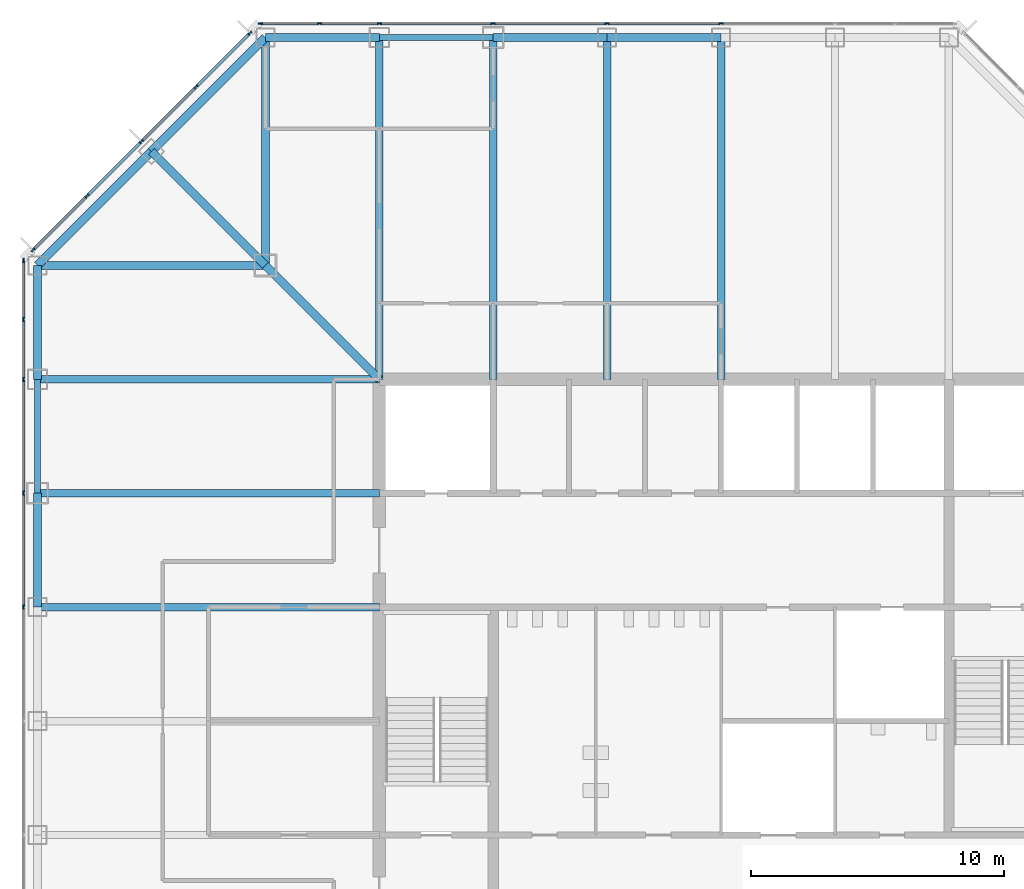
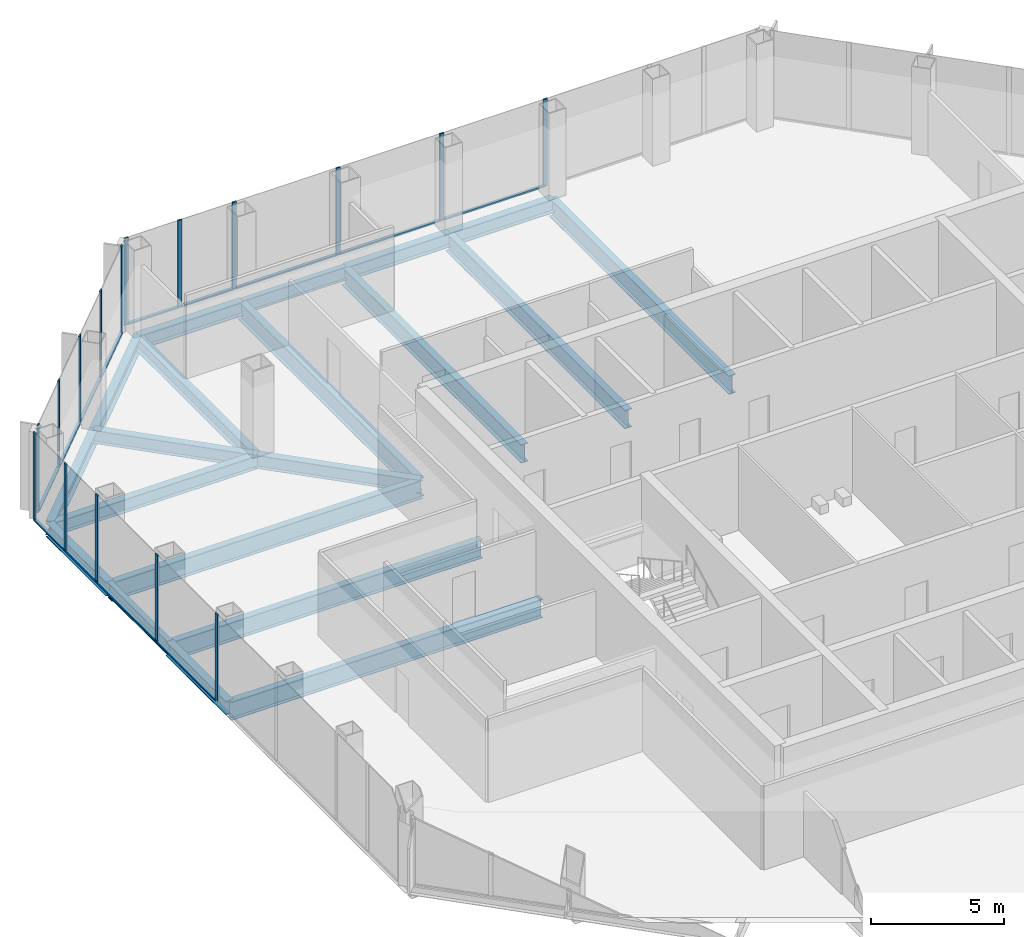
# One storey, part 5 of 12: 29 members, 20 beams, 3 elements without a shape of their own.
"""IFC4 building model written with IfcOpenShell, lengths in metres."""

from ifc_helpers import new_model, si_unit, direction, frame, origin, origin_2d, place, context, subcontext, project, spatial, rectangle, i_section, extrude, material, material_profile, profile_set, type_object, element, aggregate, save


model = new_model("IFC4")

# Units and contexts
model_context = context("Model", 3, precision=1e-05, world=origin(), true_north=direction((0.0, 1.0)))
body_context = subcontext(model_context, "Body", "Model", "MODEL_VIEW")
ifc_project = project(units=[si_unit("LENGTHUNIT", "METRE"), si_unit("AREAUNIT", "SQUARE_METRE"), si_unit("VOLUMEUNIT", "CUBIC_METRE"), si_unit("PLANEANGLEUNIT", "RADIAN"), si_unit("MASSUNIT", "GRAM", prefix="KILO")], contexts=[model_context])

# Site, building, storey
site_placement = place(None, origin())
site = spatial("IfcSite", under=ifc_project, at=site_placement, CompositionType="ELEMENT")
building_placement = place(site_placement, origin())
building = spatial("IfcBuilding", under=site, at=building_placement, Name="Corais Broadcast Tower", CompositionType="ELEMENT")
storey_placement = place(building_placement, frame((0.0, 0.0, 127.60009765625)))
storey = spatial("IfcBuildingStorey", under=building, at=storey_placement, Name="L28", CompositionType="ELEMENT", Elevation=127.60009765625)

# Beams
ifc_material_1 = material(Name="Steel ASTM A572 Grade 50", Category="steel")
ifc_material_profile_1 = material_profile(ifc_material_1, i_section(OverallWidth=0.323974609375, OverallDepth=0.611083984375, WebThickness=0.0126953125, FlangeThickness=0.01904296875, at=origin_2d()), Name="W610x155")
ifc_profile_set_1 = profile_set([ifc_material_profile_1], Name="Steel ASTM A572 Grade 50")
beam_type_1 = type_object("IfcBeamType", Name="Chamfer tie W610x155", PredefinedType="BEAM", material=ifc_profile_set_1)
beam_1_placement = place(storey_placement, frame((4.5, 49.5, -0.465576171875), z_axis=(0.707106781187, -0.707106781187, 0.0), x_axis=(0.707106781187, 0.707106781187, 0.0)))
element("IfcBeam", 1, at=beam_1_placement, inside=storey, type_object=beam_type_1, Name="B5 M/4 to L/5", PredefinedType="BEAM", context=body_context, shape_type="SweptSolid", body=[
    extrude(i_section(OverallWidth=0.323974609375, OverallDepth=0.611083984375, WebThickness=0.0126953125, FlangeThickness=0.01904296875, at=origin_2d()), origin(), (0.0, 0.0, 1.0), 6.364013671875),
])
ifc_material_2 = material(Name="Steel ASTM A572 Grade 50", Category="steel")
ifc_material_profile_2 = material_profile(ifc_material_2, i_section(OverallWidth=0.323974609375, OverallDepth=0.611083984375, WebThickness=0.0126953125, FlangeThickness=0.01904296875, at=origin_2d()), Name="W610x155")
ifc_profile_set_2 = profile_set([ifc_material_profile_2], Name="Steel ASTM A572 Grade 50")
beam_type_2 = type_object("IfcBeamType", Name="Corner diagonal W610x155", PredefinedType="BEAM", material=ifc_profile_set_2)
beam_2_placement = place(storey_placement, frame((9.0, 45.0, -0.465576171875), z_axis=(0.707106781187, -0.707106781187, 0.0), x_axis=(0.707106781187, 0.707106781187, 0.0)))
element("IfcBeam", 2, at=beam_2_placement, inside=storey, type_object=beam_type_2, Name="B6 L/5 to K/6", PredefinedType="BEAM", context=body_context, shape_type="SweptSolid", body=[
    extrude(i_section(OverallWidth=0.323974609375, OverallDepth=0.611083984375, WebThickness=0.0126953125, FlangeThickness=0.01904296875, at=origin_2d()), origin(), (0.0, 0.0, 1.0), 6.364013671875),
])
ifc_material_3 = material(Name="Steel ASTM A572 Grade 50", Category="steel")
ifc_material_profile_3 = material_profile(ifc_material_3, i_section(OverallWidth=0.323974609375, OverallDepth=0.611083984375, WebThickness=0.0126953125, FlangeThickness=0.01904296875, at=origin_2d()), Name="W610x155")
ifc_profile_set_3 = profile_set([ifc_material_profile_3], Name="Steel ASTM A572 Grade 50")
beam_type_3 = type_object("IfcBeamType", Name="Corner girder W610x155", PredefinedType="BEAM", material=ifc_profile_set_3)
for number, where, z_axis, x_axis, name in (
    (3, (0.0, 45.0, -0.465576171875), (1.0, 0.0, 0.0), (0.0, 1.0, 0.0), "B4 L/3 to L/5"),
    (4, (9.0, 54.0, -0.465576171875), (0.0, -1.0, 0.0), (1.0, 0.0, 0.0), "B4 N/5 to L/5"),
):
    element("IfcBeam", number, at=place(storey_placement, frame(where, z_axis=z_axis, x_axis=x_axis)), inside=storey, type_object=beam_type_3, Name=name, PredefinedType="BEAM", context=body_context, shape_type="SweptSolid", body=[
        extrude(i_section(OverallWidth=0.323974609375, OverallDepth=0.611083984375, WebThickness=0.0126953125, FlangeThickness=0.01904296875, at=origin_2d()), origin(), (0.0, 0.0, 1.0), 9.0),
    ])
ifc_material_4 = material(Name="Steel ASTM A572 Grade 50", Category="steel")
ifc_material_profile_4 = material_profile(ifc_material_4, i_section(OverallWidth=0.2939453125, OverallDepth=0.85107421875, WebThickness=0.01611328125, FlangeThickness=0.02685546875, at=origin_2d()), Name="W840x226")
ifc_profile_set_4 = profile_set([ifc_material_profile_4], Name="Steel ASTM A572 Grade 50")
beam_type_4 = type_object("IfcBeamType", Name="Floor beam W840x226", PredefinedType="BEAM", material=ifc_profile_set_4)
for number, where, z_axis, x_axis, name in (
    (5, (0.0, 31.5, -0.585693359375), (1.0, 0.0, 0.0), (0.0, 1.0, 0.0), "B1 H/3 to H/6"),
    (6, (0.0, 36.0, -0.585693359375), (1.0, 0.0, 0.0), (0.0, 1.0, 0.0), "B1 J/3 to J/6"),
    (7, (0.0, 40.5, -0.585693359375), (1.0, 0.0, 0.0), (0.0, 1.0, 0.0), "B1 K/3 to K/6"),
    (8, (13.5, 54.0, -0.585693359375), (0.0, -1.0, 0.0), (1.0, 0.0, 0.0), "B1 N/6 to K/6"),
    (9, (18.0, 54.0, -0.585693359375), (0.0, -1.0, 0.0), (1.0, 0.0, 0.0), "B1 N/7 to K/7"),
    (10, (22.5, 54.0, -0.585693359375), (0.0, -1.0, 0.0), (1.0, 0.0, 0.0), "B1 N/8 to K/8"),
    (11, (27.0, 54.0, -0.585693359375), (0.0, -1.0, 0.0), (1.0, 0.0, 0.0), "B1 N/9 to K/9"),
):
    element("IfcBeam", number, at=place(storey_placement, frame(where, z_axis=z_axis, x_axis=x_axis)), inside=storey, type_object=beam_type_4, Name=name, PredefinedType="BEAM", context=body_context, shape_type="SweptSolid", body=[
        extrude(i_section(OverallWidth=0.2939453125, OverallDepth=0.85107421875, WebThickness=0.01611328125, FlangeThickness=0.02685546875, at=origin_2d()), origin(), (0.0, 0.0, 1.0), 13.5),
    ])

# Curtain wall, members
ifc_material_5 = material(Name="Aluminium and glass", Category="aluminium")
curtain_wall_type = type_object("IfcCurtainWallType", Name="Unitised fritted curtain wall CW2", PredefinedType="NOTDEFINED", material=ifc_material_5)
curtain_wall_1_placement = place(storey_placement, origin())
curtain_wall_1 = element("IfcCurtainWall", 12, at=curtain_wall_1_placement, inside=storey, type_object=curtain_wall_type, Name="CW2 curtain wall L28 2", PredefinedType="NOTDEFINED")
ifc_material_6 = material(Name="Aluminium 6063-T6", Category="aluminium")
ifc_material_profile_5 = material_profile(ifc_material_6, rectangle(XDim=0.06494140625, YDim=0.179931640625, at=origin_2d()), Name="Mullion CW2 65x180")
ifc_profile_set_5 = profile_set([ifc_material_profile_5], Name="Aluminium 6063-T6")
member_type_1 = type_object("IfcMemberType", Name="Mullion CW2 65x180", PredefinedType="MULLION", material=ifc_profile_set_5)
member_1_placement = place(storey_placement, frame((-0.550048828125, 31.5, 0.0), z_axis=(0.0, 0.0, 1.0), x_axis=(-1.0, 0.0, 0.0)))
member_1 = element("IfcMember", 13, at=member_1_placement, type_object=member_type_1, Name="CW2 mullion 5", PredefinedType="MULLION", context=body_context, shape_type="SweptSolid", body=[
    extrude(rectangle(XDim=0.06494140625, YDim=0.179931640625, at=origin_2d()), origin(), (0.0, 0.0, 1.0), 4.0),
])
member_2_placement = place(storey_placement, frame((-0.550048828125, 36.0, 0.0), z_axis=(0.0, 0.0, 1.0), x_axis=(-1.0, 0.0, 0.0)))
member_2 = element("IfcMember", 14, at=member_2_placement, type_object=member_type_1, Name="CW2 mullion 6", PredefinedType="MULLION", context=body_context, shape_type="SweptSolid", body=[
    extrude(rectangle(XDim=0.06494140625, YDim=0.179931640625, at=origin_2d()), origin(), (0.0, 0.0, 1.0), 4.0),
])
member_3_placement = place(storey_placement, frame((-0.550048828125, 40.5, 0.0), z_axis=(0.0, 0.0, 1.0), x_axis=(-1.0, 0.0, 0.0)))
member_3 = element("IfcMember", 15, at=member_3_placement, type_object=member_type_1, Name="CW2 mullion 7", PredefinedType="MULLION", context=body_context, shape_type="SweptSolid", body=[
    extrude(rectangle(XDim=0.06494140625, YDim=0.179931640625, at=origin_2d()), origin(), (0.0, 0.0, 1.0), 4.0),
])
member_4_placement = place(storey_placement, frame((-0.550048828125, 42.864013671875, 0.0), z_axis=(0.0, 0.0, 1.0), x_axis=(-1.0, 0.0, 0.0)))
member_4 = element("IfcMember", 16, at=member_4_placement, type_object=member_type_1, Name="CW2 mullion 8", PredefinedType="MULLION", context=body_context, shape_type="SweptSolid", body=[
    extrude(rectangle(XDim=0.06494140625, YDim=0.179931640625, at=origin_2d()), origin(), (0.0, 0.0, 1.0), 4.0),
])
member_5_placement = place(storey_placement, frame((-0.550048828125, 45.1953125, 0.0), z_axis=(0.0, 0.0, 1.0), x_axis=(-1.0, 0.0, 0.0)))
member_5 = element("IfcMember", 17, at=member_5_placement, type_object=member_type_1, Name="CW2 mullion 9", PredefinedType="MULLION", context=body_context, shape_type="SweptSolid", body=[
    extrude(rectangle(XDim=0.06494140625, YDim=0.179931640625, at=origin_2d()), origin(), (0.0, 0.0, 1.0), 4.0),
])

curtain_wall_2_placement = place(storey_placement, origin())
curtain_wall_2 = element("IfcCurtainWall", 18, at=curtain_wall_2_placement, inside=storey, type_object=curtain_wall_type, Name="CW2 curtain wall L28 3", PredefinedType="NOTDEFINED")
member_6_placement = place(storey_placement, frame((-0.17333984375, 45.6044921875, 0.0), z_axis=(0.0, 0.0, 1.0), x_axis=(-0.707106781187, 0.707106781187, 0.0)))
member_6 = element("IfcMember", 19, at=member_6_placement, type_object=member_type_1, Name="CW2 mullion 1", PredefinedType="MULLION", context=body_context, shape_type="SweptSolid", body=[
    extrude(rectangle(XDim=0.06494140625, YDim=0.179931640625, at=origin_2d()), origin(), (0.0, 0.0, 1.0), 4.0),
])
member_7_placement = place(storey_placement, frame((1.957275390625, 47.735107421875, 0.0), z_axis=(0.0, 0.0, 1.0), x_axis=(-0.707106781187, 0.707106781187, 0.0)))
member_7 = element("IfcMember", 20, at=member_7_placement, type_object=member_type_1, Name="CW2 mullion 2", PredefinedType="MULLION", context=body_context, shape_type="SweptSolid", body=[
    extrude(rectangle(XDim=0.06494140625, YDim=0.179931640625, at=origin_2d()), origin(), (0.0, 0.0, 1.0), 4.0),
])
member_8_placement = place(storey_placement, frame((4.111083984375, 49.888916015625, 0.0), z_axis=(0.0, 0.0, 1.0), x_axis=(-0.707106781187, 0.707106781187, 0.0)))
member_8 = element("IfcMember", 21, at=member_8_placement, type_object=member_type_1, Name="CW2 mullion 3", PredefinedType="MULLION", context=body_context, shape_type="SweptSolid", body=[
    extrude(rectangle(XDim=0.06494140625, YDim=0.179931640625, at=origin_2d()), origin(), (0.0, 0.0, 1.0), 4.0),
])
member_9_placement = place(storey_placement, frame((6.264892578125, 52.042724609375, 0.0), z_axis=(0.0, 0.0, 1.0), x_axis=(-0.707106781187, 0.707106781187, 0.0)))
member_9 = element("IfcMember", 22, at=member_9_placement, type_object=member_type_1, Name="CW2 mullion 4", PredefinedType="MULLION", context=body_context, shape_type="SweptSolid", body=[
    extrude(rectangle(XDim=0.06494140625, YDim=0.179931640625, at=origin_2d()), origin(), (0.0, 0.0, 1.0), 4.0),
])
member_10_placement = place(storey_placement, frame((8.3955078125, 54.17333984375, 0.0), z_axis=(0.0, 0.0, 1.0), x_axis=(-0.707106781187, 0.707106781187, 0.0)))
member_10 = element("IfcMember", 23, at=member_10_placement, type_object=member_type_1, Name="CW2 mullion 5", PredefinedType="MULLION", context=body_context, shape_type="SweptSolid", body=[
    extrude(rectangle(XDim=0.06494140625, YDim=0.179931640625, at=origin_2d()), origin(), (0.0, 0.0, 1.0), 4.0),
])

curtain_wall_3_placement = place(storey_placement, origin())
curtain_wall_3 = element("IfcCurtainWall", 24, at=curtain_wall_3_placement, inside=storey, type_object=curtain_wall_type, Name="CW2 curtain wall L28 4", PredefinedType="NOTDEFINED")
member_11_placement = place(storey_placement, frame((8.8046875, 54.550048828125, 0.0), z_axis=(0.0, 0.0, 1.0), x_axis=(0.0, 1.0, 0.0)))
member_11 = element("IfcMember", 25, at=member_11_placement, type_object=member_type_1, Name="CW2 mullion 1", PredefinedType="MULLION", context=body_context, shape_type="SweptSolid", body=[
    extrude(rectangle(XDim=0.06494140625, YDim=0.179931640625, at=origin_2d()), origin(), (0.0, 0.0, 1.0), 4.0),
])
member_12_placement = place(storey_placement, frame((11.135986328125, 54.550048828125, 0.0), z_axis=(0.0, 0.0, 1.0), x_axis=(0.0, 1.0, 0.0)))
member_12 = element("IfcMember", 26, at=member_12_placement, type_object=member_type_1, Name="CW2 mullion 2", PredefinedType="MULLION", context=body_context, shape_type="SweptSolid", body=[
    extrude(rectangle(XDim=0.06494140625, YDim=0.179931640625, at=origin_2d()), origin(), (0.0, 0.0, 1.0), 4.0),
])
member_13_placement = place(storey_placement, frame((13.5, 54.550048828125, 0.0), z_axis=(0.0, 0.0, 1.0), x_axis=(0.0, 1.0, 0.0)))
member_13 = element("IfcMember", 27, at=member_13_placement, type_object=member_type_1, Name="CW2 mullion 3", PredefinedType="MULLION", context=body_context, shape_type="SweptSolid", body=[
    extrude(rectangle(XDim=0.06494140625, YDim=0.179931640625, at=origin_2d()), origin(), (0.0, 0.0, 1.0), 4.0),
])
member_14_placement = place(storey_placement, frame((18.0, 54.550048828125, 0.0), z_axis=(0.0, 0.0, 1.0), x_axis=(0.0, 1.0, 0.0)))
member_14 = element("IfcMember", 28, at=member_14_placement, type_object=member_type_1, Name="CW2 mullion 4", PredefinedType="MULLION", context=body_context, shape_type="SweptSolid", body=[
    extrude(rectangle(XDim=0.06494140625, YDim=0.179931640625, at=origin_2d()), origin(), (0.0, 0.0, 1.0), 4.0),
])
member_15_placement = place(storey_placement, frame((22.5, 54.550048828125, 0.0), z_axis=(0.0, 0.0, 1.0), x_axis=(0.0, 1.0, 0.0)))
member_15 = element("IfcMember", 29, at=member_15_placement, type_object=member_type_1, Name="CW2 mullion 5", PredefinedType="MULLION", context=body_context, shape_type="SweptSolid", body=[
    extrude(rectangle(XDim=0.06494140625, YDim=0.179931640625, at=origin_2d()), origin(), (0.0, 0.0, 1.0), 4.0),
])
member_16_placement = place(storey_placement, frame((27.0, 54.550048828125, 0.0), z_axis=(0.0, 0.0, 1.0), x_axis=(0.0, 1.0, 0.0)))
member_16 = element("IfcMember", 30, at=member_16_placement, type_object=member_type_1, Name="CW2 mullion 6", PredefinedType="MULLION", context=body_context, shape_type="SweptSolid", body=[
    extrude(rectangle(XDim=0.06494140625, YDim=0.179931640625, at=origin_2d()), origin(), (0.0, 0.0, 1.0), 4.0),
])

# Beams
ifc_material_7 = material(Name="Steel ASTM A572 Grade 50", Category="steel")
ifc_material_profile_6 = material_profile(ifc_material_7, i_section(OverallWidth=0.22900390625, OverallDepth=0.612060546875, WebThickness=0.011962890625, FlangeThickness=0.01953125, at=origin_2d()), Name="W610x125")
ifc_profile_set_6 = profile_set([ifc_material_profile_6], Name="Steel ASTM A572 Grade 50")
beam_type_5 = type_object("IfcBeamType", Name="Pinned spandrel W610x125", PredefinedType="BEAM", material=ifc_profile_set_6)
for number, where, z_axis, x_axis, name in (
    (31, (0.0, 40.5, -0.466064453125), (0.0, -1.0, 0.0), (1.0, 0.0, 0.0), "SB7 K/3 to J/3"),
    (32, (18.0, 54.0, -0.466064453125), (-1.0, 0.0, 0.0), (0.0, -1.0, 0.0), "SB7 N/7 to N/6"),
):
    element("IfcBeam", number, at=place(storey_placement, frame(where, z_axis=z_axis, x_axis=x_axis)), inside=storey, type_object=beam_type_5, Name=name, PredefinedType="BEAM", context=body_context, shape_type="SweptSolid", body=[
        extrude(i_section(OverallWidth=0.22900390625, OverallDepth=0.612060546875, WebThickness=0.011962890625, FlangeThickness=0.01953125, at=origin_2d()), origin(), (0.0, 0.0, 1.0), 4.5),
    ])
ifc_material_8 = material(Name="Steel ASTM A572 Grade 50", Category="steel")
ifc_material_profile_7 = material_profile(ifc_material_8, i_section(OverallWidth=0.3291015625, OverallDepth=0.635009765625, WebThickness=0.017822265625, FlangeThickness=0.031005859375, at=origin_2d()), Name="W610x241")
ifc_profile_set_7 = profile_set([ifc_material_profile_7], Name="Steel ASTM A572 Grade 50")
beam_type_6 = type_object("IfcBeamType", Name="Spandrel W610x241", PredefinedType="BEAM", material=ifc_profile_set_7)
for number, where, z_axis, x_axis, name in (
    (33, (0.0, 36.0, -0.4775390625), (0.0, -1.0, 0.0), (1.0, 0.0, 0.0), "SB1 J/3 to H/3"),
    (34, (0.0, 45.0, -0.4775390625), (0.0, -1.0, 0.0), (1.0, 0.0, 0.0), "SB1 L/3 to K/3"),
    (35, (13.5, 54.0, -0.4775390625), (-1.0, 0.0, 0.0), (0.0, -1.0, 0.0), "SB1 N/6 to N/5"),
    (36, (22.5, 54.0, -0.4775390625), (-1.0, 0.0, 0.0), (0.0, -1.0, 0.0), "SB1 N/8 to N/7"),
    (37, (27.0, 54.0, -0.4775390625), (-1.0, 0.0, 0.0), (0.0, -1.0, 0.0), "SB1 N/9 to N/8"),
):
    element("IfcBeam", number, at=place(storey_placement, frame(where, z_axis=z_axis, x_axis=x_axis)), inside=storey, type_object=beam_type_6, Name=name, PredefinedType="BEAM", context=body_context, shape_type="SweptSolid", body=[
        extrude(i_section(OverallWidth=0.3291015625, OverallDepth=0.635009765625, WebThickness=0.017822265625, FlangeThickness=0.031005859375, at=origin_2d()), origin(), (0.0, 0.0, 1.0), 4.5),
    ])
for number, where, z_axis, x_axis, name in (
    (38, (4.5, 49.5, -0.4775390625), (-0.707106781187, -0.707106781187, 0.0), (0.707106781187, -0.707106781187, 0.0), "SB1 M/4 to L/3"),
    (39, (9.0, 54.0, -0.4775390625), (-0.707106781187, -0.707106781187, 0.0), (0.707106781187, -0.707106781187, 0.0), "SB1 N/5 to M/4"),
):
    element("IfcBeam", number, at=place(storey_placement, frame(where, z_axis=z_axis, x_axis=x_axis)), inside=storey, type_object=beam_type_6, Name=name, PredefinedType="BEAM", context=body_context, shape_type="SweptSolid", body=[
        extrude(i_section(OverallWidth=0.3291015625, OverallDepth=0.635009765625, WebThickness=0.017822265625, FlangeThickness=0.031005859375, at=origin_2d()), origin(), (0.0, 0.0, 1.0), 6.364013671875),
    ])

# Member
ifc_material_9 = material(Name="Aluminium 6063-T6", Category="aluminium")
ifc_material_profile_8 = material_profile(ifc_material_9, rectangle(XDim=0.1298828125, YDim=0.06494140625, at=origin_2d()), Name="Transom CW2 65x130")
ifc_profile_set_8 = profile_set([ifc_material_profile_8], Name="Aluminium 6063-T6")
member_type_2 = type_object("IfcMemberType", Name="Transom CW2 65x130", PredefinedType="USERDEFINED", material=ifc_profile_set_8)
member_17_placement = place(storey_placement, frame((-0.550048828125, 31.532470703125, 0.032470703125), z_axis=(0.0, 1.0, 0.0), x_axis=(-1.0, 0.0, 0.0)))
member_17 = element("IfcMember", 40, at=member_17_placement, type_object=member_type_2, Name="CW2 transom 5.1", ObjectType="TRANSOM", PredefinedType="USERDEFINED", context=body_context, shape_type="SweptSolid", body=[
    extrude(rectangle(XDim=0.1298828125, YDim=0.06494140625, at=origin_2d()), origin(), (0.0, 0.0, 1.0), 4.43505859375),
])

member_18_placement = place(storey_placement, frame((-0.550048828125, 36.032470703125, 0.032470703125), z_axis=(0.0, 1.0, 0.0), x_axis=(-1.0, 0.0, 0.0)))
member_18 = element("IfcMember", 41, at=member_18_placement, type_object=member_type_2, Name="CW2 transom 6.1", ObjectType="TRANSOM", PredefinedType="USERDEFINED", context=body_context, shape_type="SweptSolid", body=[
    extrude(rectangle(XDim=0.1298828125, YDim=0.06494140625, at=origin_2d()), origin(), (0.0, 0.0, 1.0), 4.43505859375),
])

member_19_placement = place(storey_placement, frame((-0.550048828125, 40.532470703125, 0.032470703125), z_axis=(0.0, 1.0, 0.0), x_axis=(-1.0, 0.0, 0.0)))
member_19 = element("IfcMember", 42, at=member_19_placement, type_object=member_type_2, Name="CW2 transom 7.1", ObjectType="TRANSOM", PredefinedType="USERDEFINED", context=body_context, shape_type="SweptSolid", body=[
    extrude(rectangle(XDim=0.1298828125, YDim=0.06494140625, at=origin_2d()), origin(), (0.0, 0.0, 1.0), 2.298828125),
])

member_20_placement = place(storey_placement, frame((-0.550048828125, 42.896484375, 0.032470703125), z_axis=(0.0, 1.0, 0.0), x_axis=(-1.0, 0.0, 0.0)))
member_20 = element("IfcMember", 43, at=member_20_placement, type_object=member_type_2, Name="CW2 transom 8.1", ObjectType="TRANSOM", PredefinedType="USERDEFINED", context=body_context, shape_type="SweptSolid", body=[
    extrude(rectangle(XDim=0.1298828125, YDim=0.06494140625, at=origin_2d()), origin(), (0.0, 0.0, 1.0), 2.266357421875),
])

aggregate(curtain_wall_1, [member_1, member_2, member_3, member_4, member_5, member_17, member_18, member_19, member_20])

member_21_placement = place(storey_placement, frame((-0.150390625, 45.62744140625, 0.032470703125), z_axis=(0.707106781187, 0.707106781187, 0.0), x_axis=(-0.707106781187, 0.707106781187, 0.0)))
member_21 = element("IfcMember", 44, at=member_21_placement, type_object=member_type_2, Name="CW2 transom 1.1", ObjectType="TRANSOM", PredefinedType="USERDEFINED", context=body_context, shape_type="SweptSolid", body=[
    extrude(rectangle(XDim=0.1298828125, YDim=0.06494140625, at=origin_2d()), origin(), (0.0, 0.0, 1.0), 2.9482421875),
])

member_22_placement = place(storey_placement, frame((1.980224609375, 47.758056640625, 0.032470703125), z_axis=(0.707106781187, 0.707106781187, 0.0), x_axis=(-0.707106781187, 0.707106781187, 0.0)))
member_22 = element("IfcMember", 45, at=member_22_placement, type_object=member_type_2, Name="CW2 transom 2.1", ObjectType="TRANSOM", PredefinedType="USERDEFINED", context=body_context, shape_type="SweptSolid", body=[
    extrude(rectangle(XDim=0.1298828125, YDim=0.06494140625, at=origin_2d()), origin(), (0.0, 0.0, 1.0), 2.98095703125),
])

member_23_placement = place(storey_placement, frame((4.134033203125, 49.911865234375, 0.032470703125), z_axis=(0.707106781187, 0.707106781187, 0.0), x_axis=(-0.707106781187, 0.707106781187, 0.0)))
member_23 = element("IfcMember", 46, at=member_23_placement, type_object=member_type_2, Name="CW2 transom 3.1", ObjectType="TRANSOM", PredefinedType="USERDEFINED", context=body_context, shape_type="SweptSolid", body=[
    extrude(rectangle(XDim=0.1298828125, YDim=0.06494140625, at=origin_2d()), origin(), (0.0, 0.0, 1.0), 2.98095703125),
])

member_24_placement = place(storey_placement, frame((6.287841796875, 52.065673828125, 0.032470703125), z_axis=(0.707106781187, 0.707106781187, 0.0), x_axis=(-0.707106781187, 0.707106781187, 0.0)))
member_24 = element("IfcMember", 47, at=member_24_placement, type_object=member_type_2, Name="CW2 transom 4.1", ObjectType="TRANSOM", PredefinedType="USERDEFINED", context=body_context, shape_type="SweptSolid", body=[
    extrude(rectangle(XDim=0.1298828125, YDim=0.06494140625, at=origin_2d()), origin(), (0.0, 0.0, 1.0), 2.9482421875),
])

aggregate(curtain_wall_2, [member_6, member_7, member_8, member_9, member_10, member_21, member_22, member_23, member_24])

member_25_placement = place(storey_placement, frame((8.837158203125, 54.550048828125, 0.032470703125), z_axis=(1.0, 0.0, 0.0), x_axis=(0.0, 1.0, 0.0)))
member_25 = element("IfcMember", 48, at=member_25_placement, type_object=member_type_2, Name="CW2 transom 1.1", ObjectType="TRANSOM", PredefinedType="USERDEFINED", context=body_context, shape_type="SweptSolid", body=[
    extrude(rectangle(XDim=0.1298828125, YDim=0.06494140625, at=origin_2d()), origin(), (0.0, 0.0, 1.0), 2.266357421875),
])

member_26_placement = place(storey_placement, frame((11.168701171875, 54.550048828125, 0.032470703125), z_axis=(1.0, 0.0, 0.0), x_axis=(0.0, 1.0, 0.0)))
member_26 = element("IfcMember", 49, at=member_26_placement, type_object=member_type_2, Name="CW2 transom 2.1", ObjectType="TRANSOM", PredefinedType="USERDEFINED", context=body_context, shape_type="SweptSolid", body=[
    extrude(rectangle(XDim=0.1298828125, YDim=0.06494140625, at=origin_2d()), origin(), (0.0, 0.0, 1.0), 2.298828125),
])

member_27_placement = place(storey_placement, frame((13.532470703125, 54.550048828125, 0.032470703125), z_axis=(1.0, 0.0, 0.0), x_axis=(0.0, 1.0, 0.0)))
member_27 = element("IfcMember", 50, at=member_27_placement, type_object=member_type_2, Name="CW2 transom 3.1", ObjectType="TRANSOM", PredefinedType="USERDEFINED", context=body_context, shape_type="SweptSolid", body=[
    extrude(rectangle(XDim=0.1298828125, YDim=0.06494140625, at=origin_2d()), origin(), (0.0, 0.0, 1.0), 4.43505859375),
])

member_28_placement = place(storey_placement, frame((18.032470703125, 54.550048828125, 0.032470703125), z_axis=(1.0, 0.0, 0.0), x_axis=(0.0, 1.0, 0.0)))
member_28 = element("IfcMember", 51, at=member_28_placement, type_object=member_type_2, Name="CW2 transom 4.1", ObjectType="TRANSOM", PredefinedType="USERDEFINED", context=body_context, shape_type="SweptSolid", body=[
    extrude(rectangle(XDim=0.1298828125, YDim=0.06494140625, at=origin_2d()), origin(), (0.0, 0.0, 1.0), 4.43505859375),
])

member_29_placement = place(storey_placement, frame((22.532470703125, 54.550048828125, 0.032470703125), z_axis=(1.0, 0.0, 0.0), x_axis=(0.0, 1.0, 0.0)))
member_29 = element("IfcMember", 52, at=member_29_placement, type_object=member_type_2, Name="CW2 transom 5.1", ObjectType="TRANSOM", PredefinedType="USERDEFINED", context=body_context, shape_type="SweptSolid", body=[
    extrude(rectangle(XDim=0.1298828125, YDim=0.06494140625, at=origin_2d()), origin(), (0.0, 0.0, 1.0), 4.43505859375),
])

aggregate(curtain_wall_3, [member_11, member_12, member_13, member_14, member_15, member_16, member_25, member_26, member_27, member_28, member_29])

save(model, "model.ifc")
